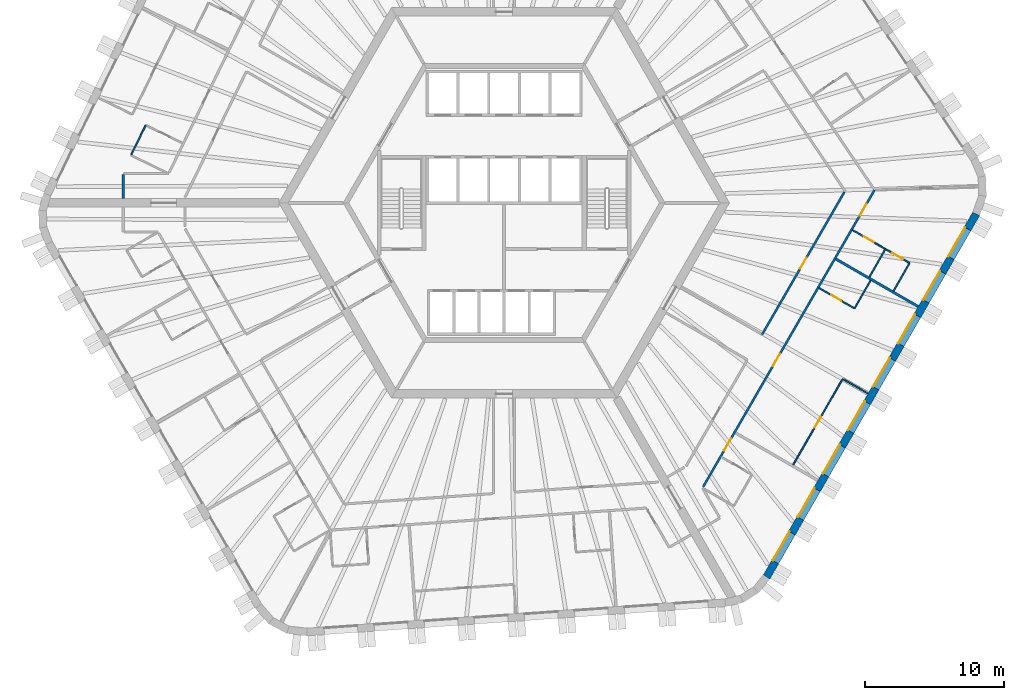
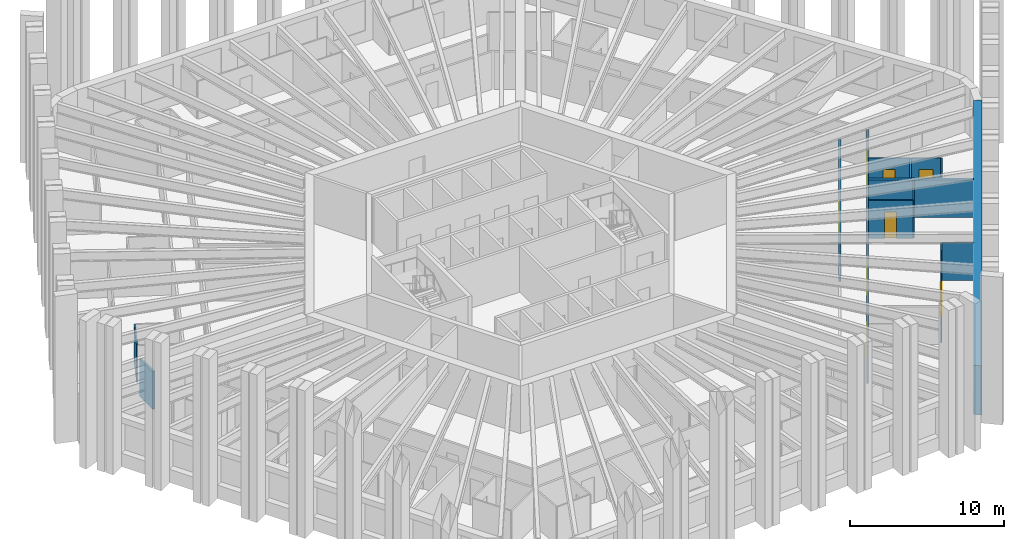
# One storey, part 6 of 12: 14 walls, 8 doors, 8 windows, 16 openings.
"""IFC4 building model written with IfcOpenShell, lengths in metres."""

from ifc_helpers import new_model, si_unit, direction, frame, frame_2d, origin, place, context, subcontext, project, spatial, polyline, rectangle, outline, extrude, material, layer, layer_set, type_object, element, fill, save


model = new_model("IFC4")

# Units and contexts
model_context = context("Model", 3, precision=1e-05, world=origin(), true_north=direction((0.0, 1.0)))
body_context = subcontext(model_context, "Body", "Model", "MODEL_VIEW")
ifc_project = project(units=[si_unit("LENGTHUNIT", "METRE"), si_unit("AREAUNIT", "SQUARE_METRE"), si_unit("VOLUMEUNIT", "CUBIC_METRE"), si_unit("PLANEANGLEUNIT", "RADIAN"), si_unit("MASSUNIT", "GRAM", prefix="KILO")], contexts=[model_context])

# Site, building, storey
site_placement = place(None, origin())
site = spatial("IfcSite", under=ifc_project, at=site_placement, CompositionType="ELEMENT")
building_placement = place(site_placement, origin())
building = spatial("IfcBuilding", under=site, at=building_placement, Name="Tarnside Tower", CompositionType="ELEMENT")
storey_placement = place(building_placement, frame((0.0, 0.0, 49.199951171875)))
storey = spatial("IfcBuildingStorey", under=building, at=storey_placement, Name="L09", CompositionType="ELEMENT", Elevation=49.199951171875)

# Walls
ifc_material_1 = material(Name="Gypsum board partition on steel studs", Category="steel")
ifc_layer_1 = layer(ifc_material_1, 0.10009765625)
ifc_layer_set_1 = layer_set([ifc_layer_1], Name="Bathroom wall 100")
wall_type_1 = type_object("IfcWallType", Name="Bathroom wall 100", PredefinedType="PARTITIONING", material=ifc_layer_set_1)
wall_1_placement = place(storey_placement, frame((-26.739501953125, 3.4599609375, 0.0), z_axis=(0.0, 0.0, 1.0), x_axis=(0.438382697704, 0.89878841245, 0.0)))
element("IfcWall", 1, at=wall_1_placement, inside=storey, type_object=wall_type_1, Name="Bathroom wall 02097", PredefinedType="PARTITIONING", context=body_context, shape_type="SweptSolid", body=[
    extrude(rectangle(XDim=2.35009765625, YDim=0.10009765625, at=frame_2d((1.175048828125, 0.0))), origin(), (0.0, 0.0, 1.0), 2.98779296875),
])
wall_2_placement = place(storey_placement, frame((26.28759765625, -5.56884765625, 0.0), z_axis=(0.0, 0.0, 1.0), x_axis=(-0.500015210774, -0.866016621662, 0.0)))
element("IfcWall", 2, at=wall_2_placement, inside=storey, type_object=wall_type_1, Name="Bathroom wall 02133", PredefinedType="PARTITIONING", context=body_context, shape_type="SweptSolid", body=[
    extrude(rectangle(XDim=2.31005859375, YDim=0.10009765625, at=frame_2d((1.155029296875, 0.0))), origin(), (0.0, 0.0, 1.0), 2.98779296875),
])

# Wall, opening, door
wall_3_placement = place(storey_placement, frame((25.089111328125, -7.544189453125, 0.0), z_axis=(0.0, 0.0, 1.0), x_axis=(-0.866018712932, 0.500011588718, 0.0)))
wall_3 = element("IfcWall", 3, at=wall_3_placement, inside=storey, type_object=wall_type_1, Name="Bathroom wall 02134", PredefinedType="PARTITIONING", context=body_context, shape_type="SweptSolid", body=[
    extrude(rectangle(XDim=2.875, YDim=0.10009765625, at=frame_2d((1.4375, 0.0))), origin(), (0.0, 0.0, 1.0), 2.98779296875),
])
opening_1_placement = place(wall_3_placement, frame((1.050048828125, 0.0, 0.0)))
opening_1 = element("IfcOpeningElement", 4, at=opening_1_placement, cuts=wall_3, Name="Opening D-B1", PredefinedType="OPENING", context=body_context, shape_type="SweptSolid", body=[
    extrude(rectangle(XDim=0.800048828125, YDim=2.10009765625, at=frame_2d((0.39990234375, 1.050048828125))), frame((0.0, 0.06005859375, 0.0), z_axis=(0.0, -1.0, 0.0), x_axis=(1.0, 0.0, 0.0)), (0.0, 0.0, 1.0), 0.1201171875),
])
ifc_material_2 = material(Name="Timber door leaf", Category="wood")
door_type_1 = type_object("IfcDoorType", Name="Bathroom door 800", OperationType="NOTDEFINED", PredefinedType="DOOR", material=ifc_material_2)
door_1_placement = place(opening_1_placement, origin())
door_1 = element("IfcDoor", 5, at=door_1_placement, inside=storey, type_object=door_type_1, Name="Bathroom door 02031", OperationType="SINGLE_SWING_LEFT", OverallHeight=2.10009765625, OverallWidth=0.800048828125, PredefinedType="DOOR", context=body_context, shape_type="SweptSolid", body=[
    extrude(rectangle(XDim=0.800048828125, YDim=2.10009765625, at=frame_2d((0.39990234375, 1.050048828125))), frame((0.0, 0.02490234375, 0.0), z_axis=(0.0, -1.0, 0.0), x_axis=(1.0, 0.0, 0.0)), (0.0, 0.0, 1.0), 0.050048828125),
])
fill(opening_1, door_1)

wall_4_placement = place(storey_placement, frame((24.999267578125, -1.949951171875, 0.0), z_axis=(0.0, 0.0, 1.0), x_axis=(0.866073700213, -0.499916338801, 0.0)))
wall_4 = element("IfcWall", 6, at=wall_4_placement, inside=storey, type_object=wall_type_1, Name="Bathroom wall 02141", PredefinedType="PARTITIONING", context=body_context, shape_type="SweptSolid", body=[
    extrude(rectangle(XDim=2.72509765625, YDim=0.10009765625, at=frame_2d((1.362548828125, 0.0))), origin(), (0.0, 0.0, 1.0), 2.98779296875),
])
opening_2_placement = place(wall_4_placement, frame((0.925048828125, 0.0, 0.0)))
opening_2 = element("IfcOpeningElement", 7, at=opening_2_placement, cuts=wall_4, Name="Opening D-B1", PredefinedType="OPENING", context=body_context, shape_type="SweptSolid", body=[
    extrude(rectangle(XDim=0.800048828125, YDim=2.10009765625, at=frame_2d((0.39990234375, 1.050048828125))), frame((0.0, 0.06005859375, 0.0), z_axis=(0.0, -1.0, 0.0), x_axis=(1.0, 0.0, 0.0)), (0.0, 0.0, 1.0), 0.1201171875),
])
door_2_placement = place(opening_2_placement, origin())
door_2 = element("IfcDoor", 8, at=door_2_placement, inside=storey, type_object=door_type_1, Name="Bathroom door 02034", OperationType="SINGLE_SWING_RIGHT", OverallHeight=2.10009765625, OverallWidth=0.800048828125, PredefinedType="DOOR", context=body_context, shape_type="SweptSolid", body=[
    extrude(rectangle(XDim=0.800048828125, YDim=2.10009765625, at=frame_2d((0.39990234375, 1.050048828125))), frame((0.0, 0.02490234375, 0.0), z_axis=(0.0, -1.0, 0.0), x_axis=(1.0, 0.0, 0.0)), (0.0, 0.0, 1.0), 0.050048828125),
])
fill(opening_2, door_2)

# Walls
wall_5_placement = place(storey_placement, frame((26.204345703125, -5.31298828125, 0.0), z_axis=(0.0, 0.0, 1.0), x_axis=(0.49995000081, 0.866054268906, 0.0)))
element("IfcWall", 9, at=wall_5_placement, inside=storey, type_object=wall_type_1, Name="Bathroom wall 02145", PredefinedType="PARTITIONING", context=body_context, shape_type="SweptSolid", body=[
    extrude(rectangle(XDim=2.260009765625, YDim=0.10009765625, at=frame_2d((1.1298828125, 0.0))), origin(), (0.0, 0.0, 1.0), 2.98779296875),
])
ifc_layer_2 = layer(ifc_material_1, 0.14990234375)
ifc_layer_set_2 = layer_set([ifc_layer_2], Name="Corridor wall 150 EI 60")
wall_type_2 = type_object("IfcWallType", Name="Corridor wall 150 EI 60", PredefinedType="PARTITIONING", material=ifc_layer_set_2)
wall_6_placement = place(storey_placement, frame((-27.3203125, 2.02490234375, 0.0), z_axis=(0.0, 0.0, 1.0), x_axis=(0.0, -1.0, 0.0)))
element("IfcWall", 10, at=wall_6_placement, inside=storey, type_object=wall_type_2, Name="Corridor wall 02010", PredefinedType="PARTITIONING", context=body_context, shape_type="SweptSolid", body=[
    extrude(rectangle(XDim=1.724853515625, YDim=0.14990234375, at=frame_2d((0.8623046875, 0.0))), origin(), (0.0, 0.0, 1.0), 2.98779296875),
])

# Wall, openings, doors
wall_7_placement = place(storey_placement, frame((14.27490234375, -20.375, 0.0), z_axis=(0.0, 0.0, 1.0), x_axis=(0.500001098408, 0.866024769617, 0.0)))
wall_7 = element("IfcWall", 11, at=wall_7_placement, inside=storey, type_object=wall_type_2, Name="Corridor wall 02050", PredefinedType="PARTITIONING", context=body_context, shape_type="SweptSolid", body=[
    extrude(rectangle(XDim=24.5986328125, YDim=0.14990234375, at=frame_2d((12.29931640625, 0.0))), origin(), (0.0, 0.0, 1.0), 2.98779296875),
])
opening_3_placement = place(wall_7_placement, frame((3.01611328125, 0.0, 0.0)))
opening_3 = element("IfcOpeningElement", 12, at=opening_3_placement, cuts=wall_7, Name="Opening D-E1", PredefinedType="OPENING", context=body_context, shape_type="SweptSolid", body=[
    extrude(rectangle(XDim=1.0, YDim=2.10009765625, at=frame_2d((0.5, 1.050048828125))), frame((0.0, 0.0849609375, 0.0), z_axis=(0.0, -1.0, 0.0), x_axis=(1.0, 0.0, 0.0)), (0.0, 0.0, 1.0), 0.169921875),
])
opening_4_placement = place(wall_7_placement, frame((10.018798828125, 0.0, 0.0)))
opening_4 = element("IfcOpeningElement", 13, at=opening_4_placement, cuts=wall_7, Name="Opening D-E1", PredefinedType="OPENING", context=body_context, shape_type="SweptSolid", body=[
    extrude(rectangle(XDim=1.0, YDim=2.10009765625, at=frame_2d((0.5, 1.050048828125))), frame((0.0, 0.0849609375, 0.0), z_axis=(0.0, -1.0, 0.0), x_axis=(1.0, 0.0, 0.0)), (0.0, 0.0, 1.0), 0.169921875),
])
opening_5_placement = place(wall_7_placement, frame((22.458740234375, 0.0, 0.0)))
opening_5 = element("IfcOpeningElement", 14, at=opening_5_placement, cuts=wall_7, Name="Opening D-E1", PredefinedType="OPENING", context=body_context, shape_type="SweptSolid", body=[
    extrude(rectangle(XDim=1.0, YDim=2.10009765625, at=frame_2d((0.5, 1.050048828125))), frame((0.0, 0.0849609375, 0.0), z_axis=(0.0, -1.0, 0.0), x_axis=(1.0, 0.0, 0.0)), (0.0, 0.0, 1.0), 0.169921875),
])
door_type_2 = type_object("IfcDoorType", Name="Unit entrance door 1000 FD30S", OperationType="NOTDEFINED", PredefinedType="DOOR", material=ifc_material_2)
door_3_placement = place(opening_3_placement, origin())
door_3 = element("IfcDoor", 15, at=door_3_placement, inside=storey, type_object=door_type_2, Name="Unit door 02028", OperationType="SINGLE_SWING_RIGHT", OverallHeight=2.10009765625, OverallWidth=1.0, PredefinedType="DOOR", context=body_context, shape_type="SweptSolid", body=[
    extrude(rectangle(XDim=1.0, YDim=2.10009765625, at=frame_2d((0.5, 1.050048828125))), frame((0.0, 0.02490234375, 0.0), z_axis=(0.0, -1.0, 0.0), x_axis=(1.0, 0.0, 0.0)), (0.0, 0.0, 1.0), 0.050048828125),
])
fill(opening_3, door_3)
door_4_placement = place(opening_4_placement, origin())
door_4 = element("IfcDoor", 16, at=door_4_placement, inside=storey, type_object=door_type_2, Name="Unit door 02030", OperationType="SINGLE_SWING_LEFT", OverallHeight=2.10009765625, OverallWidth=1.0, PredefinedType="DOOR", context=body_context, shape_type="SweptSolid", body=[
    extrude(rectangle(XDim=1.0, YDim=2.10009765625, at=frame_2d((0.5, 1.050048828125))), frame((0.0, 0.02490234375, 0.0), z_axis=(0.0, -1.0, 0.0), x_axis=(1.0, 0.0, 0.0)), (0.0, 0.0, 1.0), 0.050048828125),
])
fill(opening_4, door_4)
door_5_placement = place(opening_5_placement, origin())
door_5 = element("IfcDoor", 17, at=door_5_placement, inside=storey, type_object=door_type_2, Name="Unit door 02033", OperationType="SINGLE_SWING_LEFT", OverallHeight=2.10009765625, OverallWidth=1.0, PredefinedType="DOOR", context=body_context, shape_type="SweptSolid", body=[
    extrude(rectangle(XDim=1.0, YDim=2.10009765625, at=frame_2d((0.5, 1.050048828125))), frame((0.0, 0.02490234375, 0.0), z_axis=(0.0, -1.0, 0.0), x_axis=(1.0, 0.0, 0.0)), (0.0, 0.0, 1.0), 0.050048828125),
])
fill(opening_5, door_5)

# Wall, opening, door
wall_8_placement = place(storey_placement, frame((24.411376953125, 0.78173828125, 0.0), z_axis=(0.0, 0.0, 1.0), x_axis=(-0.499996383721, -0.866027491634, 0.0)))
wall_8 = element("IfcWall", 18, at=wall_8_placement, inside=storey, type_object=wall_type_2, Name="Corridor wall 02065", PredefinedType="PARTITIONING", context=body_context, shape_type="SweptSolid", body=[
    extrude(rectangle(XDim=11.8037109375, YDim=0.14990234375, at=frame_2d((5.90185546875, 0.0))), origin(), (0.0, 0.0, 1.0), 2.98779296875),
])
opening_6_placement = place(wall_8_placement, frame((5.451904296875, 0.0, 0.0)))
opening_6 = element("IfcOpeningElement", 19, at=opening_6_placement, cuts=wall_8, Name="Opening D-S1", PredefinedType="OPENING", context=body_context, shape_type="SweptSolid", body=[
    extrude(rectangle(XDim=0.89990234375, YDim=2.10009765625, at=frame_2d((0.449951171875, 1.050048828125))), frame((0.0, 0.0849609375, 0.0), z_axis=(0.0, -1.0, 0.0), x_axis=(1.0, 0.0, 0.0)), (0.0, 0.0, 1.0), 0.169921875),
])
door_type_3 = type_object("IfcDoorType", Name="Service room door 900 FD30S", OperationType="NOTDEFINED", PredefinedType="DOOR", material=ifc_material_2)
door_6_placement = place(opening_6_placement, origin())
door_6 = element("IfcDoor", 20, at=door_6_placement, inside=storey, type_object=door_type_3, Name="Service door 02047", OperationType="SINGLE_SWING_RIGHT", OverallHeight=2.10009765625, OverallWidth=0.89990234375, PredefinedType="DOOR", context=body_context, shape_type="SweptSolid", body=[
    extrude(rectangle(XDim=0.89990234375, YDim=2.10009765625, at=frame_2d((0.449951171875, 1.050048828125))), frame((0.0, 0.02490234375, 0.0), z_axis=(0.0, -1.0, 0.0), x_axis=(1.0, 0.0, 0.0)), (0.0, 0.0, 1.0), 0.050048828125),
])
fill(opening_6, door_6)

# Wall
ifc_layer_3 = layer(ifc_material_1, 0.179931640625)
ifc_layer_set_3 = layer_set([ifc_layer_3], Name="Demising wall 180 EI 60")
wall_type_3 = type_object("IfcWallType", Name="Demising wall 180 EI 60", PredefinedType="PARTITIONING", material=ifc_layer_set_3)
wall_9_placement = place(storey_placement, frame((29.7099609375, -7.44091796875, 0.0), z_axis=(0.0, 0.0, 1.0), x_axis=(-0.866019982719, 0.500009389444, 0.0)))
element("IfcWall", 21, at=wall_9_placement, inside=storey, type_object=wall_type_3, Name="Demising wall 02137", PredefinedType="PARTITIONING", context=body_context, shape_type="SweptSolid", body=[
    extrude(rectangle(XDim=6.824951171875, YDim=0.179931640625, at=frame_2d((3.41259765625, 0.0))), origin(), (0.0, 0.0, 1.0), 2.98779296875),
])

# Wall, opening, door
ifc_layer_4 = layer(ifc_material_1, 0.10009765625)
ifc_layer_set_4 = layer_set([ifc_layer_4], Name="Partition 100")
wall_type_4 = type_object("IfcWallType", Name="Partition 100", PredefinedType="PARTITIONING", material=ifc_layer_set_4)
wall_10_placement = place(storey_placement, frame((20.736328125, -18.78369140625, 0.0), z_axis=(0.0, 0.0, 1.0), x_axis=(0.499990956993, 0.866030624704, 0.0)))
wall_10 = element("IfcWall", 22, at=wall_10_placement, inside=storey, type_object=wall_type_4, Name="Partition wall 02135", PredefinedType="PARTITIONING", context=body_context, shape_type="SweptSolid", body=[
    extrude(rectangle(XDim=7.110107421875, YDim=0.10009765625, at=frame_2d((3.55517578125, 0.0))), origin(), (0.0, 0.0, 1.0), 2.98779296875),
])
opening_7_placement = place(wall_10_placement, frame((3.06005859375, 0.0, 0.0)))
opening_7 = element("IfcOpeningElement", 23, at=opening_7_placement, cuts=wall_10, Name="Opening D-I1", PredefinedType="OPENING", context=body_context, shape_type="SweptSolid", body=[
    extrude(rectangle(XDim=0.89990234375, YDim=2.10009765625, at=frame_2d((0.449951171875, 1.050048828125))), frame((0.0, 0.06005859375, 0.0), z_axis=(0.0, -1.0, 0.0), x_axis=(1.0, 0.0, 0.0)), (0.0, 0.0, 1.0), 0.1201171875),
])
door_type_4 = type_object("IfcDoorType", Name="Internal door 900", OperationType="NOTDEFINED", PredefinedType="DOOR", material=ifc_material_2)
door_7_placement = place(opening_7_placement, origin())
door_7 = element("IfcDoor", 24, at=door_7_placement, inside=storey, type_object=door_type_4, Name="Internal door 02032", OperationType="SINGLE_SWING_RIGHT", OverallHeight=2.10009765625, OverallWidth=0.89990234375, PredefinedType="DOOR", context=body_context, shape_type="SweptSolid", body=[
    extrude(rectangle(XDim=0.89990234375, YDim=2.10009765625, at=frame_2d((0.449951171875, 1.050048828125))), frame((0.0, 0.02490234375, 0.0), z_axis=(0.0, -1.0, 0.0), x_axis=(1.0, 0.0, 0.0)), (0.0, 0.0, 1.0), 0.050048828125),
])
fill(opening_7, door_7)

# Wall
wall_11_placement = place(storey_placement, frame((24.334716796875, -12.651123046875, 0.0), z_axis=(0.0, 0.0, 1.0), x_axis=(0.865969381856, -0.500097020274, 0.0)))
element("IfcWall", 25, at=wall_11_placement, inside=storey, type_object=wall_type_4, Name="Partition wall 02136", PredefinedType="PARTITIONING", context=body_context, shape_type="SweptSolid", body=[
    extrude(rectangle(XDim=2.0498046875, YDim=0.10009765625, at=frame_2d((1.02490234375, 0.0))), origin(), (0.0, 0.0, 1.0), 2.98779296875),
])

# Wall, opening, door
wall_12_placement = place(storey_placement, frame((27.402587890625, -3.33740234375, 0.0), z_axis=(0.0, 0.0, 1.0), x_axis=(0.866054235095, -0.49995005938, 0.0)))
wall_12 = element("IfcWall", 26, at=wall_12_placement, inside=storey, type_object=wall_type_4, Name="Partition wall 02142", PredefinedType="PARTITIONING", context=body_context, shape_type="SweptSolid", body=[
    extrude(rectangle(XDim=1.949951171875, YDim=0.10009765625, at=frame_2d((0.97509765625, 0.0))), origin(), (0.0, 0.0, 1.0), 2.98779296875),
])
opening_8_placement = place(wall_12_placement, frame((0.5, 0.0, 0.0)))
opening_8 = element("IfcOpeningElement", 27, at=opening_8_placement, cuts=wall_12, Name="Opening D-I1", PredefinedType="OPENING", context=body_context, shape_type="SweptSolid", body=[
    extrude(rectangle(XDim=0.89990234375, YDim=2.10009765625, at=frame_2d((0.449951171875, 1.050048828125))), frame((0.0, 0.06005859375, 0.0), z_axis=(0.0, -1.0, 0.0), x_axis=(1.0, 0.0, 0.0)), (0.0, 0.0, 1.0), 0.1201171875),
])
door_8_placement = place(opening_8_placement, origin())
door_8 = element("IfcDoor", 28, at=door_8_placement, inside=storey, type_object=door_type_4, Name="Internal door 02035", OperationType="SINGLE_SWING_RIGHT", OverallHeight=2.10009765625, OverallWidth=0.89990234375, PredefinedType="DOOR", context=body_context, shape_type="SweptSolid", body=[
    extrude(rectangle(XDim=0.89990234375, YDim=2.10009765625, at=frame_2d((0.449951171875, 1.050048828125))), frame((0.0, 0.02490234375, 0.0), z_axis=(0.0, -1.0, 0.0), x_axis=(1.0, 0.0, 0.0)), (0.0, 0.0, 1.0), 0.050048828125),
])
fill(opening_8, door_8)

# Wall
wall_13_placement = place(storey_placement, frame((29.06640625, -4.355712890625, 0.0), z_axis=(0.0, 0.0, 1.0), x_axis=(-0.500031020067, -0.8660074936, 0.0)))
element("IfcWall", 29, at=wall_13_placement, inside=storey, type_object=wall_type_4, Name="Partition wall 02143", PredefinedType="PARTITIONING", context=body_context, shape_type="SweptSolid", body=[
    extrude(rectangle(XDim=2.260009765625, YDim=0.10009765625, at=frame_2d((1.1298828125, 0.0))), origin(), (0.0, 0.0, 1.0), 2.98779296875),
])

# Wall, openings, windows
ifc_material_3 = material(Name="Facing brick", Category="masonry")
ifc_layer_5 = layer(ifc_material_3, 0.10205078125)
ifc_material_4 = material(Name="Concrete C60/75 precast", Category="concrete")
ifc_layer_6 = layer(ifc_material_4, 0.347900390625)
ifc_material_5 = material(Name="Mineral wool insulation")
ifc_layer_7 = layer(ifc_material_5, 0.10009765625)
ifc_layer_set_5 = layer_set([ifc_layer_5, ifc_layer_6, ifc_layer_7], Name="Tube wall 550 brick faced")
wall_type_5 = type_object("IfcWallType", Name="Tube wall 550 brick faced", PredefinedType="SOLIDWALL", material=ifc_layer_set_5)
wall_14_placement = place(storey_placement, frame((18.830322265625, -26.834716796875, -0.14990234375), z_axis=(0.0, 0.0, 1.0), x_axis=(0.500003800416, 0.866023209602, 0.0)))
wall_14 = element("IfcWall", 30, at=wall_14_placement, inside=storey, type_object=wall_type_5, Name="Tube wall L09 F5 flush 16", PredefinedType="SOLIDWALL", context=body_context, shape_type="SweptSolid", body=[
    extrude(outline(polyline([(-0.0224609375, -0.27490234375), (30.0966796875, -0.27490234375), (30.04541015625, 0.27490234375), (0.0224609375, 0.27490234375), (-0.0224609375, -0.27490234375)])), origin(), (0.0, 0.0, 1.0), 3.89990234375),
])
opening_9_placement = place(wall_14_placement, frame((1.235595703125, 0.0, 1.050048828125)))
opening_9 = element("IfcOpeningElement", 31, at=opening_9_placement, cuts=wall_14, Name="Opening WH", PredefinedType="OPENING", context=body_context, shape_type="SweptSolid", body=[
    extrude(rectangle(XDim=2.39990234375, YDim=2.39990234375, at=frame_2d((1.199951171875, 1.199951171875))), frame((0.0, 0.28515625, 0.0), z_axis=(0.0, -1.0, 0.0), x_axis=(1.0, 0.0, 0.0)), (0.0, 0.0, 1.0), 0.570068359375),
])
opening_10_placement = place(wall_14_placement, frame((4.83544921875, 0.0, 1.050048828125)))
opening_10 = element("IfcOpeningElement", 32, at=opening_10_placement, cuts=wall_14, Name="Opening WH", PredefinedType="OPENING", context=body_context, shape_type="SweptSolid", body=[
    extrude(rectangle(XDim=2.39990234375, YDim=2.39990234375, at=frame_2d((1.199951171875, 1.199951171875))), frame((0.0, 0.28515625, 0.0), z_axis=(0.0, -1.0, 0.0), x_axis=(1.0, 0.0, 0.0)), (0.0, 0.0, 1.0), 0.570068359375),
])
opening_11_placement = place(wall_14_placement, frame((8.435546875, 0.0, 1.050048828125)))
opening_11 = element("IfcOpeningElement", 33, at=opening_11_placement, cuts=wall_14, Name="Opening WH", PredefinedType="OPENING", context=body_context, shape_type="SweptSolid", body=[
    extrude(rectangle(XDim=2.39990234375, YDim=2.39990234375, at=frame_2d((1.199951171875, 1.199951171875))), frame((0.0, 0.28515625, 0.0), z_axis=(0.0, -1.0, 0.0), x_axis=(1.0, 0.0, 0.0)), (0.0, 0.0, 1.0), 0.570068359375),
])
opening_12_placement = place(wall_14_placement, frame((12.035400390625, 0.0, 1.050048828125)))
opening_12 = element("IfcOpeningElement", 34, at=opening_12_placement, cuts=wall_14, Name="Opening WH", PredefinedType="OPENING", context=body_context, shape_type="SweptSolid", body=[
    extrude(rectangle(XDim=2.39990234375, YDim=2.39990234375, at=frame_2d((1.199951171875, 1.199951171875))), frame((0.0, 0.28515625, 0.0), z_axis=(0.0, -1.0, 0.0), x_axis=(1.0, 0.0, 0.0)), (0.0, 0.0, 1.0), 0.570068359375),
])
opening_13_placement = place(wall_14_placement, frame((15.635498046875, 0.0, 1.050048828125)))
opening_13 = element("IfcOpeningElement", 35, at=opening_13_placement, cuts=wall_14, Name="Opening WH", PredefinedType="OPENING", context=body_context, shape_type="SweptSolid", body=[
    extrude(rectangle(XDim=2.39990234375, YDim=2.39990234375, at=frame_2d((1.199951171875, 1.199951171875))), frame((0.0, 0.28515625, 0.0), z_axis=(0.0, -1.0, 0.0), x_axis=(1.0, 0.0, 0.0)), (0.0, 0.0, 1.0), 0.570068359375),
])
opening_14_placement = place(wall_14_placement, frame((19.235595703125, 0.0, 1.050048828125)))
opening_14 = element("IfcOpeningElement", 36, at=opening_14_placement, cuts=wall_14, Name="Opening WH", PredefinedType="OPENING", context=body_context, shape_type="SweptSolid", body=[
    extrude(rectangle(XDim=2.39990234375, YDim=2.39990234375, at=frame_2d((1.199951171875, 1.199951171875))), frame((0.0, 0.28515625, 0.0), z_axis=(0.0, -1.0, 0.0), x_axis=(1.0, 0.0, 0.0)), (0.0, 0.0, 1.0), 0.570068359375),
])
opening_15_placement = place(wall_14_placement, frame((22.83544921875, 0.0, 1.050048828125)))
opening_15 = element("IfcOpeningElement", 37, at=opening_15_placement, cuts=wall_14, Name="Opening WH", PredefinedType="OPENING", context=body_context, shape_type="SweptSolid", body=[
    extrude(rectangle(XDim=2.39990234375, YDim=2.39990234375, at=frame_2d((1.199951171875, 1.199951171875))), frame((0.0, 0.28515625, 0.0), z_axis=(0.0, -1.0, 0.0), x_axis=(1.0, 0.0, 0.0)), (0.0, 0.0, 1.0), 0.570068359375),
])
opening_16_placement = place(wall_14_placement, frame((26.435546875, 0.0, 1.050048828125)))
opening_16 = element("IfcOpeningElement", 38, at=opening_16_placement, cuts=wall_14, Name="Opening WH", PredefinedType="OPENING", context=body_context, shape_type="SweptSolid", body=[
    extrude(rectangle(XDim=2.39990234375, YDim=2.39990234375, at=frame_2d((1.199951171875, 1.199951171875))), frame((0.0, 0.28515625, 0.0), z_axis=(0.0, -1.0, 0.0), x_axis=(1.0, 0.0, 0.0)), (0.0, 0.0, 1.0), 0.570068359375),
])
ifc_material_6 = material(Name="Aluminium-framed double glazing", Category="aluminium")
window_type = type_object("IfcWindowType", Name="Hotel window 2400 x 2400", PartitioningType="DOUBLE_PANEL_VERTICAL", PredefinedType="WINDOW", material=ifc_material_6)
window_1_placement = place(opening_9_placement, frame((0.0, 0.205078125, 0.0)))
window_1 = element("IfcWindow", 39, at=window_1_placement, inside=storey, type_object=window_type, Name="E.WN.L09.F5.00", OverallHeight=2.39990234375, OverallWidth=2.39990234375, PartitioningType="DOUBLE_PANEL_VERTICAL", PredefinedType="WINDOW", context=body_context, shape_type="SweptSolid", body=[
    extrude(rectangle(XDim=2.39990234375, YDim=2.39990234375, at=frame_2d((1.199951171875, 1.199951171875))), frame((0.0, 0.030029296875, 0.0), z_axis=(0.0, -1.0, 0.0), x_axis=(1.0, 0.0, 0.0)), (0.0, 0.0, 1.0), 0.06005859375),
])
fill(opening_9, window_1)
window_2_placement = place(opening_10_placement, frame((0.0, 0.205078125, 0.0)))
window_2 = element("IfcWindow", 40, at=window_2_placement, inside=storey, type_object=window_type, Name="E.WN.L09.F5.01", OverallHeight=2.39990234375, OverallWidth=2.39990234375, PartitioningType="DOUBLE_PANEL_VERTICAL", PredefinedType="WINDOW", context=body_context, shape_type="SweptSolid", body=[
    extrude(rectangle(XDim=2.39990234375, YDim=2.39990234375, at=frame_2d((1.199951171875, 1.199951171875))), frame((0.0, 0.030029296875, 0.0), z_axis=(0.0, -1.0, 0.0), x_axis=(1.0, 0.0, 0.0)), (0.0, 0.0, 1.0), 0.06005859375),
])
fill(opening_10, window_2)
window_3_placement = place(opening_11_placement, frame((0.0, 0.205078125, 0.0)))
window_3 = element("IfcWindow", 41, at=window_3_placement, inside=storey, type_object=window_type, Name="E.WN.L09.F5.02", OverallHeight=2.39990234375, OverallWidth=2.39990234375, PartitioningType="DOUBLE_PANEL_VERTICAL", PredefinedType="WINDOW", context=body_context, shape_type="SweptSolid", body=[
    extrude(rectangle(XDim=2.39990234375, YDim=2.39990234375, at=frame_2d((1.199951171875, 1.199951171875))), frame((0.0, 0.030029296875, 0.0), z_axis=(0.0, -1.0, 0.0), x_axis=(1.0, 0.0, 0.0)), (0.0, 0.0, 1.0), 0.06005859375),
])
fill(opening_11, window_3)
window_4_placement = place(opening_12_placement, frame((0.0, 0.205078125, 0.0)))
window_4 = element("IfcWindow", 42, at=window_4_placement, inside=storey, type_object=window_type, Name="E.WN.L09.F5.03", OverallHeight=2.39990234375, OverallWidth=2.39990234375, PartitioningType="DOUBLE_PANEL_VERTICAL", PredefinedType="WINDOW", context=body_context, shape_type="SweptSolid", body=[
    extrude(rectangle(XDim=2.39990234375, YDim=2.39990234375, at=frame_2d((1.199951171875, 1.199951171875))), frame((0.0, 0.030029296875, 0.0), z_axis=(0.0, -1.0, 0.0), x_axis=(1.0, 0.0, 0.0)), (0.0, 0.0, 1.0), 0.06005859375),
])
fill(opening_12, window_4)
window_5_placement = place(opening_13_placement, frame((0.0, 0.205078125, 0.0)))
window_5 = element("IfcWindow", 43, at=window_5_placement, inside=storey, type_object=window_type, Name="E.WN.L09.F5.04", OverallHeight=2.39990234375, OverallWidth=2.39990234375, PartitioningType="DOUBLE_PANEL_VERTICAL", PredefinedType="WINDOW", context=body_context, shape_type="SweptSolid", body=[
    extrude(rectangle(XDim=2.39990234375, YDim=2.39990234375, at=frame_2d((1.199951171875, 1.199951171875))), frame((0.0, 0.030029296875, 0.0), z_axis=(0.0, -1.0, 0.0), x_axis=(1.0, 0.0, 0.0)), (0.0, 0.0, 1.0), 0.06005859375),
])
fill(opening_13, window_5)
window_6_placement = place(opening_14_placement, frame((0.0, 0.205078125, 0.0)))
window_6 = element("IfcWindow", 44, at=window_6_placement, inside=storey, type_object=window_type, Name="E.WN.L09.F5.05", OverallHeight=2.39990234375, OverallWidth=2.39990234375, PartitioningType="DOUBLE_PANEL_VERTICAL", PredefinedType="WINDOW", context=body_context, shape_type="SweptSolid", body=[
    extrude(rectangle(XDim=2.39990234375, YDim=2.39990234375, at=frame_2d((1.199951171875, 1.199951171875))), frame((0.0, 0.030029296875, 0.0), z_axis=(0.0, -1.0, 0.0), x_axis=(1.0, 0.0, 0.0)), (0.0, 0.0, 1.0), 0.06005859375),
])
fill(opening_14, window_6)
window_7_placement = place(opening_15_placement, frame((0.0, 0.205078125, 0.0)))
window_7 = element("IfcWindow", 45, at=window_7_placement, inside=storey, type_object=window_type, Name="E.WN.L09.F5.06", OverallHeight=2.39990234375, OverallWidth=2.39990234375, PartitioningType="DOUBLE_PANEL_VERTICAL", PredefinedType="WINDOW", context=body_context, shape_type="SweptSolid", body=[
    extrude(rectangle(XDim=2.39990234375, YDim=2.39990234375, at=frame_2d((1.199951171875, 1.199951171875))), frame((0.0, 0.030029296875, 0.0), z_axis=(0.0, -1.0, 0.0), x_axis=(1.0, 0.0, 0.0)), (0.0, 0.0, 1.0), 0.06005859375),
])
fill(opening_15, window_7)
window_8_placement = place(opening_16_placement, frame((0.0, 0.205078125, 0.0)))
window_8 = element("IfcWindow", 46, at=window_8_placement, inside=storey, type_object=window_type, Name="E.WN.L09.F5.07", OverallHeight=2.39990234375, OverallWidth=2.39990234375, PartitioningType="DOUBLE_PANEL_VERTICAL", PredefinedType="WINDOW", context=body_context, shape_type="SweptSolid", body=[
    extrude(rectangle(XDim=2.39990234375, YDim=2.39990234375, at=frame_2d((1.199951171875, 1.199951171875))), frame((0.0, 0.030029296875, 0.0), z_axis=(0.0, -1.0, 0.0), x_axis=(1.0, 0.0, 0.0)), (0.0, 0.0, 1.0), 0.06005859375),
])
fill(opening_16, window_8)

save(model, "model.ifc")
